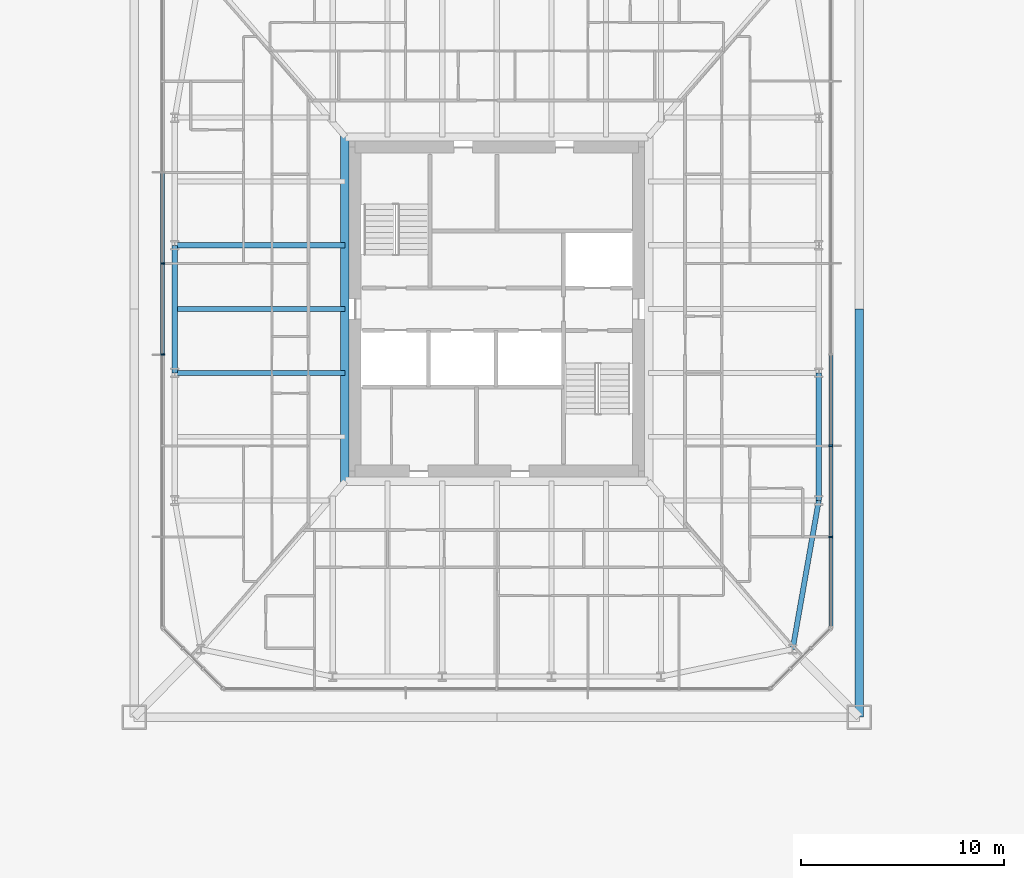
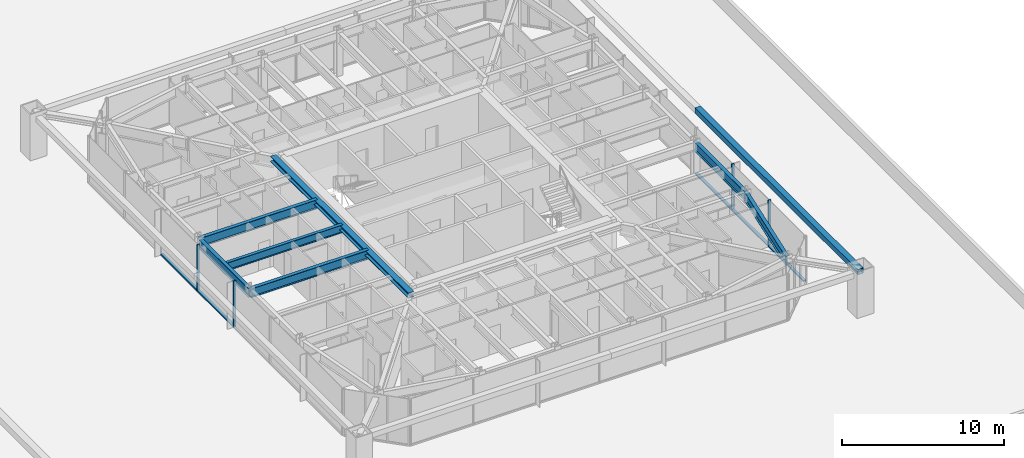
# One storey, part 10 of 31: 10 members, 7 beams, 2 elements without a shape of their own.
"""IFC4 building model written with IfcOpenShell, lengths in metres."""

from ifc_helpers import new_model, si_unit, direction, frame, origin, origin_2d, place, context, subcontext, project, spatial, rectangle, hollow_rectangle, i_section, extrude, material, material_profile, profile_set, type_object, element, aggregate, save


model = new_model("IFC4")

# Units and contexts
model_context = context("Model", 3, precision=1e-05, world=origin(), true_north=direction((0.0, 1.0)))
body_context = subcontext(model_context, "Body", "Model", "MODEL_VIEW")
ifc_project = project(units=[si_unit("LENGTHUNIT", "METRE"), si_unit("AREAUNIT", "SQUARE_METRE"), si_unit("VOLUMEUNIT", "CUBIC_METRE"), si_unit("PLANEANGLEUNIT", "RADIAN"), si_unit("MASSUNIT", "GRAM", prefix="KILO")], contexts=[model_context])

# Site, building, storey
site_placement = place(None, origin())
site = spatial("IfcSite", under=ifc_project, at=site_placement, CompositionType="ELEMENT")
building_placement = place(site_placement, origin())
building = spatial("IfcBuilding", under=site, at=building_placement, Name="Iwan Alto Co-Living Towers", CompositionType="ELEMENT")
storey_placement = place(building_placement, frame((0.0, 0.0, 15.0)))
storey = spatial("IfcBuildingStorey", under=building, at=storey_placement, Name="L03", CompositionType="ELEMENT", Elevation=15.0)

# Curtain wall, members
ifc_material_1 = material(Name="Bronze aluminium unitised frame", Category="aluminium")
curtain_wall_type = type_object("IfcCurtainWallType", Name="CURTAIN WALL CW-C", PredefinedType="NOTDEFINED", material=ifc_material_1)
curtain_wall_1_placement = place(storey_placement, origin())
curtain_wall_1 = element("IfcCurtainWall", 1, at=curtain_wall_1_placement, inside=storey, type_object=curtain_wall_type, Name="T2 curtain wall E L03", PredefinedType="NOTDEFINED")
ifc_material_2 = material(Name="Aluminium 6063-T6 bronze anodised", Category="aluminium")
ifc_material_profile_1 = material_profile(ifc_material_2, rectangle(XDim=0.199951171875, YDim=0.080078125, at=origin_2d()), Name="AL 80X200")
ifc_profile_set_1 = profile_set([ifc_material_profile_1], Name="Aluminium 6063-T6 bronze anodised")
member_type_1 = type_object("IfcMemberType", Name="CW-C MULLION 80X200", PredefinedType="MULLION", material=ifc_profile_set_1)
member_1_placement = place(storey_placement, frame((79.5, -11.25, 0.0), z_axis=(0.0, 0.0, 1.0), x_axis=(-1.0, 0.0, 0.0)))
member_1 = element("IfcMember", 2, at=member_1_placement, type_object=member_type_1, Name="CW-C mullion 2", PredefinedType="MULLION", context=body_context, shape_type="SweptSolid", body=[
    extrude(rectangle(XDim=0.199951171875, YDim=0.080078125, at=origin_2d()), origin(), (0.0, 0.0, 1.0), 3.5),
])
member_2_placement = place(storey_placement, frame((79.5, -6.75, 0.0), z_axis=(0.0, 0.0, 1.0), x_axis=(-1.0, 0.0, 0.0)))
member_2 = element("IfcMember", 3, at=member_2_placement, type_object=member_type_1, Name="CW-C mullion 3", PredefinedType="MULLION", context=body_context, shape_type="SweptSolid", body=[
    extrude(rectangle(XDim=0.199951171875, YDim=0.080078125, at=origin_2d()), origin(), (0.0, 0.0, 1.0), 3.5),
])

curtain_wall_2_placement = place(storey_placement, origin())
curtain_wall_2 = element("IfcCurtainWall", 4, at=curtain_wall_2_placement, inside=storey, type_object=curtain_wall_type, Name="T2 curtain wall W L03", PredefinedType="NOTDEFINED")
member_3_placement = place(storey_placement, frame((46.5, 2.25, 0.0), z_axis=(0.0, 0.0, 1.0), x_axis=(1.0, 0.0, 0.0)))
member_3 = element("IfcMember", 5, at=member_3_placement, type_object=member_type_1, Name="CW-C mullion 4", PredefinedType="MULLION", context=body_context, shape_type="SweptSolid", body=[
    extrude(rectangle(XDim=0.199951171875, YDim=0.080078125, at=origin_2d()), origin(), (0.0, 0.0, 1.0), 3.5),
])
member_4_placement = place(storey_placement, frame((46.5, -2.25, 0.0), z_axis=(0.0, 0.0, 1.0), x_axis=(1.0, 0.0, 0.0)))
member_4 = element("IfcMember", 6, at=member_4_placement, type_object=member_type_1, Name="CW-C mullion 5", PredefinedType="MULLION", context=body_context, shape_type="SweptSolid", body=[
    extrude(rectangle(XDim=0.199951171875, YDim=0.080078125, at=origin_2d()), origin(), (0.0, 0.0, 1.0), 3.5),
])

# Member
ifc_material_3 = material(Name="Aluminium 6063-T6 bronze anodised", Category="aluminium")
ifc_material_profile_2 = material_profile(ifc_material_3, rectangle(XDim=0.199951171875, YDim=0.10009765625, at=origin_2d()), Name="AL 200X100")
ifc_profile_set_2 = profile_set([ifc_material_profile_2], Name="Aluminium 6063-T6 bronze anodised")
member_type_2 = type_object("IfcMemberType", Name="CW-C TRANSOM 200X100", PredefinedType="USERDEFINED", material=ifc_profile_set_2)
member_5_placement = place(storey_placement, frame((79.5, -15.669921875, 0.050048828125), z_axis=(0.0, 1.0, 0.0), x_axis=(-1.0, 0.0, 0.0)))
member_5 = element("IfcMember", 7, at=member_5_placement, type_object=member_type_2, Name="CW-C transom 1.1", ObjectType="TRANSOM", PredefinedType="USERDEFINED", context=body_context, shape_type="SweptSolid", body=[
    extrude(rectangle(XDim=0.199951171875, YDim=0.10009765625, at=origin_2d()), origin(), (0.0, 0.0, 1.0), 4.3798828125),
])

member_6_placement = place(storey_placement, frame((79.5, -11.2099609375, 0.050048828125), z_axis=(0.0, 1.0, 0.0), x_axis=(-1.0, 0.0, 0.0)))
member_6 = element("IfcMember", 8, at=member_6_placement, type_object=member_type_2, Name="CW-C transom 2.1", ObjectType="TRANSOM", PredefinedType="USERDEFINED", context=body_context, shape_type="SweptSolid", body=[
    extrude(rectangle(XDim=0.199951171875, YDim=0.10009765625, at=origin_2d()), origin(), (0.0, 0.0, 1.0), 4.419921875),
])

member_7_placement = place(storey_placement, frame((79.5, -6.7099609375, 0.050048828125), z_axis=(0.0, 1.0, 0.0), x_axis=(-1.0, 0.0, 0.0)))
member_7 = element("IfcMember", 9, at=member_7_placement, type_object=member_type_2, Name="CW-C transom 3.1", ObjectType="TRANSOM", PredefinedType="USERDEFINED", context=body_context, shape_type="SweptSolid", body=[
    extrude(rectangle(XDim=0.199951171875, YDim=0.10009765625, at=origin_2d()), origin(), (0.0, 0.0, 1.0), 4.419921875),
])

aggregate(curtain_wall_1, [member_1, member_2, member_5, member_6, member_7])

member_8_placement = place(storey_placement, frame((46.5, 6.7099609375, 0.050048828125), z_axis=(0.0, -1.0, 0.0), x_axis=(1.0, 0.0, 0.0)))
member_8 = element("IfcMember", 10, at=member_8_placement, type_object=member_type_2, Name="CW-C transom 3.1", ObjectType="TRANSOM", PredefinedType="USERDEFINED", context=body_context, shape_type="SweptSolid", body=[
    extrude(rectangle(XDim=0.199951171875, YDim=0.10009765625, at=origin_2d()), origin(), (0.0, 0.0, 1.0), 4.419921875),
])

member_9_placement = place(storey_placement, frame((46.5, 2.2099609375, 0.050048828125), z_axis=(0.0, -1.0, 0.0), x_axis=(1.0, 0.0, 0.0)))
member_9 = element("IfcMember", 11, at=member_9_placement, type_object=member_type_2, Name="CW-C transom 4.1", ObjectType="TRANSOM", PredefinedType="USERDEFINED", context=body_context, shape_type="SweptSolid", body=[
    extrude(rectangle(XDim=0.199951171875, YDim=0.10009765625, at=origin_2d()), origin(), (0.0, 0.0, 1.0), 4.419921875),
])

aggregate(curtain_wall_2, [member_3, member_4, member_8, member_9])

# Beams
ifc_material_4 = material(Name="Steel ASTM A992 Gr 50", Category="steel")
ifc_material_profile_3 = material_profile(ifc_material_4, i_section(OverallWidth=0.40380859375, OverallDepth=0.406494140625, WebThickness=0.027099609375, FlangeThickness=0.043701171875, at=origin_2d()), Name="W14X233")
ifc_profile_set_3 = profile_set([ifc_material_profile_3], Name="Steel ASTM A992 Gr 50")
beam_type_1 = type_object("IfcBeamType", Name="T2 CORE LEDGER BEAM W14X233", PredefinedType="BEAM", material=ifc_profile_set_3)
beam_1_placement = place(storey_placement, frame((55.498046875, 8.534912109375, 3.06689453125), z_axis=(0.0, -1.0, 0.0), x_axis=(1.0, 0.0, 0.0)))
element("IfcBeam", 12, at=beam_1_placement, inside=storey, type_object=beam_type_1, Name="T2 core ledger beam W L04", PredefinedType="BEAM", context=body_context, shape_type="SweptSolid", body=[
    extrude(i_section(OverallWidth=0.40380859375, OverallDepth=0.406494140625, WebThickness=0.027099609375, FlangeThickness=0.043701171875, at=origin_2d()), origin(), (0.0, 0.0, 1.0), 17.06982421875),
])
ifc_material_5 = material(Name="Steel ASTM A992 Gr 50", Category="steel")
ifc_material_profile_4 = material_profile(ifc_material_5, i_section(OverallWidth=0.25390625, OverallDepth=0.683349609375, WebThickness=0.012451171875, FlangeThickness=0.018798828125, at=origin_2d()), Name="W27X94")
ifc_profile_set_4 = profile_set([ifc_material_profile_4], Name="Steel ASTM A992 Gr 50")
beam_type_2 = type_object("IfcBeamType", Name="T2 EDGE BEAM W27X94", PredefinedType="BEAM", material=ifc_profile_set_4)
beam_2_placement = place(storey_placement, frame((77.606201171875, -16.797119140625, 2.928466796875), z_axis=(0.173413807283, 0.98484905008, 0.0), x_axis=(-0.98484905008, 0.173413807283, 0.0)))
element("IfcBeam", 13, at=beam_2_placement, inside=storey, type_object=beam_type_2, Name="T2 edge beam CSE L04", PredefinedType="BEAM", context=body_context, shape_type="SweptSolid", body=[
    extrude(i_section(OverallWidth=0.25390625, OverallDepth=0.683349609375, WebThickness=0.012451171875, FlangeThickness=0.018798828125, at=origin_2d()), origin(), (0.0, 0.0, 1.0), 7.460205078125),
])
beam_3_placement = place(storey_placement, frame((78.89990234375, -9.449951171875, 2.928466796875), z_axis=(0.0, 1.0, 0.0), x_axis=(-1.0, 0.0, 0.0)))
element("IfcBeam", 14, at=beam_3_placement, inside=storey, type_object=beam_type_2, Name="T2 edge beam E1 L04", PredefinedType="BEAM", context=body_context, shape_type="SweptSolid", body=[
    extrude(i_section(OverallWidth=0.25390625, OverallDepth=0.683349609375, WebThickness=0.012451171875, FlangeThickness=0.018798828125, at=origin_2d()), origin(), (0.0, 0.0, 1.0), 6.300048828125),
])
beam_4_placement = place(storey_placement, frame((47.10009765625, 3.14990234375, 2.928466796875), z_axis=(0.0, -1.0, 0.0), x_axis=(1.0, 0.0, 0.0)))
element("IfcBeam", 15, at=beam_4_placement, inside=storey, type_object=beam_type_2, Name="T2 edge beam W2 L04", PredefinedType="BEAM", context=body_context, shape_type="SweptSolid", body=[
    extrude(i_section(OverallWidth=0.25390625, OverallDepth=0.683349609375, WebThickness=0.012451171875, FlangeThickness=0.018798828125, at=origin_2d()), origin(), (0.0, 0.0, 1.0), 6.2998046875),
])

# Member
ifc_material_6 = material(Name="Steel ASTM A500 Gr C", Category="steel")
ifc_material_profile_5 = material_profile(ifc_material_6, hollow_rectangle(XDim=0.406494140625, YDim=0.406494140625, WallThickness=0.0146484375, at=origin_2d()), Name="HSS16X16X5/8")
ifc_profile_set_5 = profile_set([ifc_material_profile_5], Name="Steel ASTM A500 Gr C")
member_type_3 = type_object("IfcMemberType", Name="T2 MEGA TIE HSS16X16X5/8", PredefinedType="STRUT", material=ifc_profile_set_5)
member_10_placement = place(storey_placement, frame((80.89990234375, -20.14990234375, 3.0), z_axis=(0.0, 1.0, 0.0), x_axis=(-1.0, 0.0, 0.0)))
element("IfcMember", 16, at=member_10_placement, inside=storey, type_object=member_type_3, Name="T2 mega tie Z1A E 1", PredefinedType="STRUT", context=body_context, shape_type="SweptSolid", body=[
    extrude(hollow_rectangle(XDim=0.406494140625, YDim=0.406494140625, WallThickness=0.0146484375, at=origin_2d()), origin(), (0.0, 0.0, 1.0), 20.14990234375),
])

# Beams
ifc_material_7 = material(Name="Steel ASTM A992 Gr 50", Category="steel")
ifc_material_profile_6 = material_profile(ifc_material_7, i_section(OverallWidth=0.25390625, OverallDepth=0.683349609375, WebThickness=0.012451171875, FlangeThickness=0.018798828125, at=origin_2d()), Name="W27X94")
ifc_profile_set_6 = profile_set([ifc_material_profile_6], Name="Steel ASTM A992 Gr 50")
beam_type_3 = type_object("IfcBeamType", Name="T2 RADIAL BEAM W27X94", PredefinedType="BEAM", material=ifc_profile_set_6)
for number, where, z_axis, x_axis, name in (
    (17, (47.10009765625, 3.14990234375, 2.928466796875), (1.0, 0.0, 0.0), (0.0, 1.0, 0.0), "T2 radial beam W2 L04"),
    (18, (47.10009765625, -3.14990234375, 2.928466796875), (1.0, 0.0, 0.0), (0.0, 1.0, 0.0), "T2 radial beam W3 L04"),
):
    element("IfcBeam", number, at=place(storey_placement, frame(where, z_axis=z_axis, x_axis=x_axis)), inside=storey, type_object=beam_type_3, Name=name, PredefinedType="BEAM", context=body_context, shape_type="SweptSolid", body=[
        extrude(i_section(OverallWidth=0.25390625, OverallDepth=0.683349609375, WebThickness=0.012451171875, FlangeThickness=0.018798828125, at=origin_2d()), origin(), (0.0, 0.0, 1.0), 8.39794921875),
    ])
ifc_material_8 = material(Name="Steel ASTM A992 Gr 50", Category="steel")
ifc_material_profile_7 = material_profile(ifc_material_8, i_section(OverallWidth=0.228271484375, OverallDepth=0.607177734375, WebThickness=0.01123046875, FlangeThickness=0.017333984375, at=origin_2d()), Name="W24X76")
ifc_profile_set_7 = profile_set([ifc_material_profile_7], Name="Steel ASTM A992 Gr 50")
beam_type_4 = type_object("IfcBeamType", Name="T2 SECONDARY BEAM W24X76", PredefinedType="JOIST", material=ifc_profile_set_7)
beam_5_placement = place(storey_placement, frame((47.10009765625, 0.0, 2.966552734375), z_axis=(1.0, 0.0, 0.0), x_axis=(0.0, 1.0, 0.0)))
element("IfcBeam", 19, at=beam_5_placement, inside=storey, type_object=beam_type_4, Name="T2 secondary beam W2 L04", PredefinedType="JOIST", context=body_context, shape_type="SweptSolid", body=[
    extrude(i_section(OverallWidth=0.228271484375, OverallDepth=0.607177734375, WebThickness=0.01123046875, FlangeThickness=0.017333984375, at=origin_2d()), origin(), (0.0, 0.0, 1.0), 8.39794921875),
])

save(model, "model.ifc")
